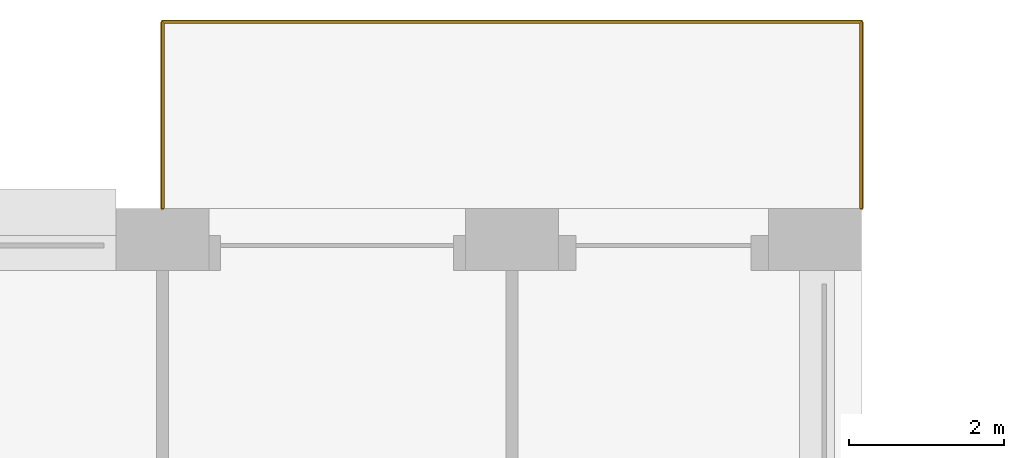
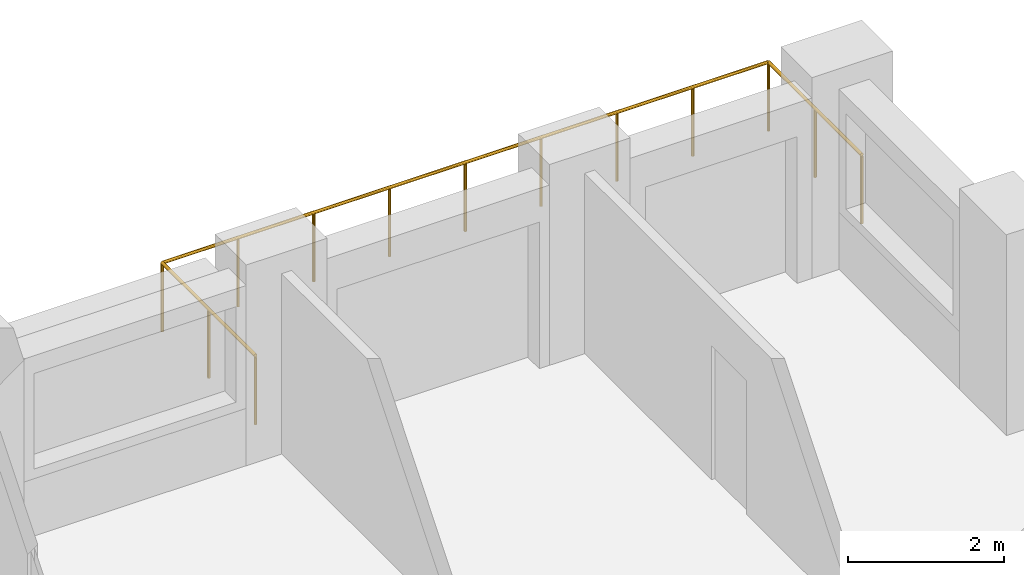
# One storey, part 19 of 19: 1 railing.
"""IFC4 building model written with IfcOpenShell, lengths in metres."""

from ifc_helpers import new_model, si_unit, direction, frame, origin, origin_2d, place, context, subcontext, project, spatial, circle, extrude, material, type_object, element, save


model = new_model("IFC4")

# Units and contexts
model_context = context("Model", 3, precision=1e-05, world=origin(), true_north=direction((0.0, 1.0)))
body_context = subcontext(model_context, "Body", "Model", "MODEL_VIEW")
ifc_project = project(units=[si_unit("LENGTHUNIT", "METRE"), si_unit("AREAUNIT", "SQUARE_METRE"), si_unit("VOLUMEUNIT", "CUBIC_METRE"), si_unit("PLANEANGLEUNIT", "RADIAN"), si_unit("MASSUNIT", "GRAM", prefix="KILO")], contexts=[model_context])

# Site, building, storey
site_placement = place(None, origin())
site = spatial("IfcSite", under=ifc_project, at=site_placement, CompositionType="ELEMENT")
building_placement = place(site_placement, origin())
building = spatial("IfcBuilding", under=site, at=building_placement, Name="Brigalow Station Residences", CompositionType="ELEMENT")
storey_placement = place(building_placement, frame((0.0, 0.0, 25.800048828125)))
storey = spatial("IfcBuildingStorey", under=building, at=storey_placement, Name="L06", CompositionType="ELEMENT", Elevation=25.800048828125)

# Railing
ifc_material = material(Name="Stainless steel balustrade with laminated glass infill", Category="steel")
railing_type = type_object("IfcRailingType", Name="BALCONY GUARD 1100", PredefinedType="GUARDRAIL", material=ifc_material)
railing_placement = place(storey_placement, frame((72.0, 48.5, -0.0400390625)))
element("IfcRailing", 1, at=railing_placement, inside=storey, type_object=railing_type, Name="L06/balcony-guard/2", PredefinedType="GUARDRAIL", context=body_context, shape_type="SweptSolid", body=[
    extrude(circle(Radius=0.02392578125, at=origin_2d()), frame((0.0, 0.0, 1.076171875), z_axis=(0.0, 1.0, 0.0), x_axis=(-1.0, 0.0, 0.0)), (0.0, 0.0, 1.0), 2.39990234375),
    extrude(circle(Radius=0.02392578125, at=origin_2d()), frame((0.0, 2.39990234375, 1.076171875), z_axis=(-1.0, 0.0, 0.0), x_axis=(0.0, -1.0, 0.0)), (0.0, 0.0, 1.0), 9.0),
    extrude(circle(Radius=0.02392578125, at=origin_2d()), frame((-9.0, 2.39990234375, 1.076171875), z_axis=(0.0, -1.0, 0.0), x_axis=(1.0, 0.0, 0.0)), (0.0, 0.0, 1.0), 2.39990234375),
    extrude(circle(Radius=0.02099609375, at=origin_2d()), origin(), (0.0, 0.0, 1.0), 1.052001953125),
    extrude(circle(Radius=0.02099609375, at=origin_2d()), frame((0.0, 1.199951171875, 0.0)), (0.0, 0.0, 1.0), 1.052001953125),
    extrude(circle(Radius=0.02099609375, at=origin_2d()), frame((0.0, 2.39990234375, 0.0)), (0.0, 0.0, 1.0), 1.052001953125),
    extrude(circle(Radius=0.02099609375, at=origin_2d()), frame((-1.125, 2.39990234375, 0.0)), (0.0, 0.0, 1.0), 1.052001953125),
    extrude(circle(Radius=0.02099609375, at=origin_2d()), frame((-2.25, 2.39990234375, 0.0)), (0.0, 0.0, 1.0), 1.052001953125),
    extrude(circle(Radius=0.02099609375, at=origin_2d()), frame((-3.375, 2.39990234375, 0.0)), (0.0, 0.0, 1.0), 1.052001953125),
    extrude(circle(Radius=0.02099609375, at=origin_2d()), frame((-4.5, 2.39990234375, 0.0)), (0.0, 0.0, 1.0), 1.052001953125),
    extrude(circle(Radius=0.02099609375, at=origin_2d()), frame((-5.625, 2.39990234375, 0.0)), (0.0, 0.0, 1.0), 1.052001953125),
    extrude(circle(Radius=0.02099609375, at=origin_2d()), frame((-6.75, 2.39990234375, 0.0)), (0.0, 0.0, 1.0), 1.052001953125),
    extrude(circle(Radius=0.02099609375, at=origin_2d()), frame((-7.875, 2.39990234375, 0.0)), (0.0, 0.0, 1.0), 1.052001953125),
    extrude(circle(Radius=0.02099609375, at=origin_2d()), frame((-9.0, 2.39990234375, 0.0)), (0.0, 0.0, 1.0), 1.052001953125),
    extrude(circle(Radius=0.02099609375, at=origin_2d()), frame((-9.0, 1.199951171875, 0.0)), (0.0, 0.0, 1.0), 1.052001953125),
    extrude(circle(Radius=0.02099609375, at=origin_2d()), frame((-9.0, 0.0, 0.0)), (0.0, 0.0, 1.0), 1.052001953125),
])

save(model, "model.ifc")
